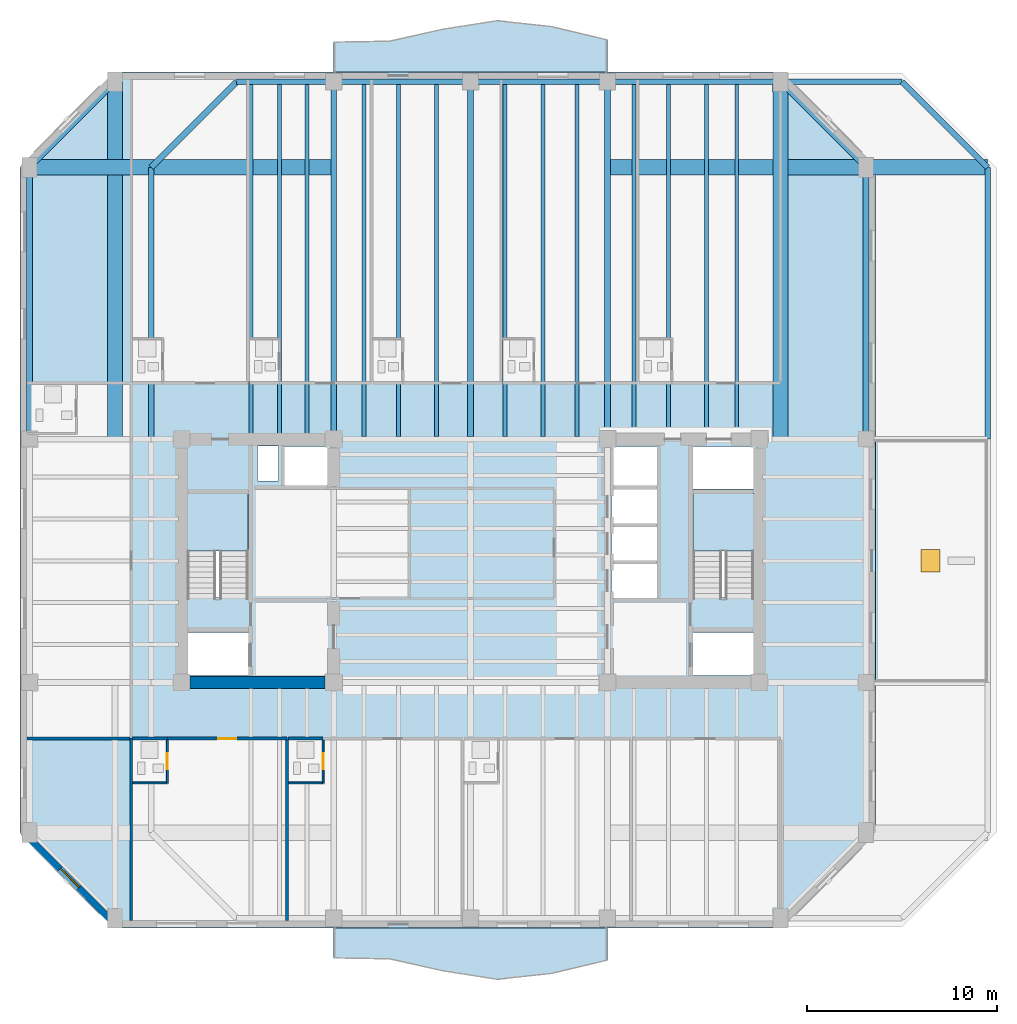
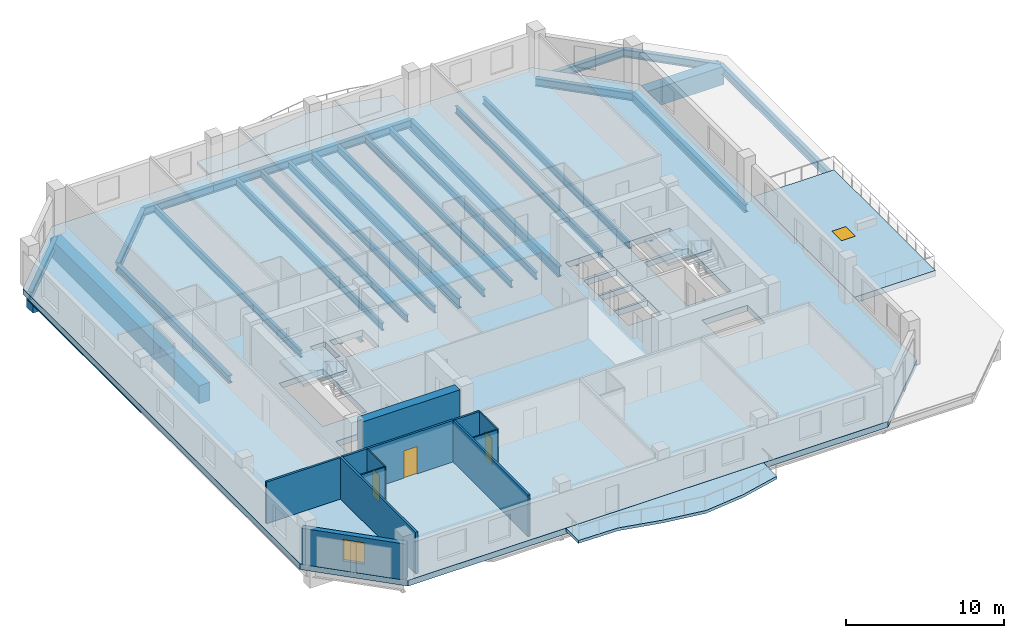
# One storey, part 2 of 11: 32 beams, 12 walls, 6 slabs, 4 doors, 1 window, 5 openings, 2 elements without a shape of their own.
"""IFC4 building model written with IfcOpenShell, lengths in metres."""

from ifc_helpers import new_model, si_unit, direction, frame, frame_2d, origin, origin_2d, place, context, subcontext, project, spatial, polyline, rectangle, i_section, outline, extrude, material, layer, layer_set, material_profile, profile_set, type_object, element, fill, aggregate, save


model = new_model("IFC4")

# Units and contexts
model_context = context("Model", 3, precision=1e-05, world=origin(), true_north=direction((0.0, 1.0)))
body_context = subcontext(model_context, "Body", "Model", "MODEL_VIEW")
ifc_project = project(units=[si_unit("LENGTHUNIT", "METRE"), si_unit("AREAUNIT", "SQUARE_METRE"), si_unit("VOLUMEUNIT", "CUBIC_METRE"), si_unit("PLANEANGLEUNIT", "RADIAN"), si_unit("MASSUNIT", "GRAM", prefix="KILO")], contexts=[model_context])

# Site, building, storey
site_placement = place(None, origin())
site = spatial("IfcSite", under=ifc_project, at=site_placement, CompositionType="ELEMENT")
building_placement = place(site_placement, origin())
building = spatial("IfcBuilding", under=site, at=building_placement, Name="Kranthara Brick Stack", CompositionType="ELEMENT")
storey_placement = place(building_placement, frame((0.0, 0.0, 183.300048828125)))
storey = spatial("IfcBuildingStorey", under=building, at=storey_placement, Name="L47", CompositionType="ELEMENT", Elevation=183.300048828125)

# Beams
ifc_material_1 = material(Name="Steel S355", Category="steel")
ifc_material_profile_1 = material_profile(ifc_material_1, i_section(OverallWidth=0.2099609375, OverallDepth=0.550048828125, WebThickness=0.010986328125, FlangeThickness=0.01708984375, at=origin_2d()), Name="IPE 550")
ifc_profile_set_1 = profile_set([ifc_material_profile_1], Name="Steel S355")
beam_type_1 = type_object("IfcBeamType", Name="BM-JST-IPE550", PredefinedType="JOIST", material=ifc_profile_set_1)
for number, where, z_axis, x_axis, name in (
    (1, (16.449951171875, 33.75, -0.72509765625), (0.0, 1.0, 0.0), (-1.0, 0.0, 0.0), "L47 North Wing Floor Joist 073"),
    (2, (17.949951171875, 33.75, -0.72509765625), (0.0, 1.0, 0.0), (-1.0, 0.0, 0.0), "L47 North Wing Floor Joist 075"),
    (3, (19.39990234375, 33.75, -0.72509765625), (0.0, 1.0, 0.0), (-1.0, 0.0, 0.0), "L47 North Wing Floor Joist 077"),
    (4, (22.39990234375, 33.75, -0.72509765625), (0.0, 1.0, 0.0), (-1.0, 0.0, 0.0), "L47 North Wing Floor Joist 079"),
    (5, (24.199951171875, 33.75, -0.72509765625), (0.0, 1.0, 0.0), (-1.0, 0.0, 0.0), "L47 North Wing Floor Joist 081"),
    (6, (26.199951171875, 33.75, -0.72509765625), (0.0, 1.0, 0.0), (-1.0, 0.0, 0.0), "L47 North Wing Floor Joist 083"),
    (7, (29.800048828125, 33.75, -0.72509765625), (0.0, 1.0, 0.0), (-1.0, 0.0, 0.0), "L47 North Wing Floor Joist 085"),
    (8, (31.800048828125, 33.75, -0.72509765625), (0.0, 1.0, 0.0), (-1.0, 0.0, 0.0), "L47 North Wing Floor Joist 087"),
    (9, (33.60009765625, 33.75, -0.72509765625), (0.0, 1.0, 0.0), (-1.0, 0.0, 0.0), "L47 North Wing Floor Joist 089"),
    (10, (36.60009765625, 33.75, -0.72509765625), (0.0, 1.0, 0.0), (-1.0, 0.0, 0.0), "L47 North Wing Floor Joist 091"),
    (11, (38.39990234375, 33.75, -0.72509765625), (0.0, 1.0, 0.0), (-1.0, 0.0, 0.0), "L47 North Wing Floor Joist 093"),
    (12, (40.39990234375, 33.75, -0.72509765625), (0.0, 1.0, 0.0), (-1.0, 0.0, 0.0), "L47 North Wing Floor Joist 095"),
    (13, (42.0, 33.75, -0.72509765625), (0.0, 1.0, 0.0), (-1.0, 0.0, 0.0), "L47 North Wing Floor Joist 097"),
):
    element("IfcBeam", number, at=place(storey_placement, frame(where, z_axis=z_axis, x_axis=x_axis)), inside=storey, type_object=beam_type_1, Name=name, PredefinedType="JOIST", context=body_context, shape_type="SweptSolid", body=[
        extrude(i_section(OverallWidth=0.2099609375, OverallDepth=0.550048828125, WebThickness=0.010986328125, FlangeThickness=0.01708984375, at=origin_2d()), origin(), (0.0, 0.0, 1.0), 18.5),
    ])
ifc_material_2 = material(Name="Steel S355", Category="steel")
ifc_material_profile_2 = material_profile(ifc_material_2, i_section(OverallWidth=0.300048828125, OverallDepth=0.60009765625, WebThickness=0.015380859375, FlangeThickness=0.030029296875, at=origin_2d()), Name="HEB 600")
ifc_profile_set_2 = profile_set([ifc_material_profile_2], Name="Steel S355")
beam_type_2 = type_object("IfcBeamType", Name="BM-STL-HEB600", PredefinedType="BEAM", material=ifc_profile_set_2)
beam_1_placement = place(storey_placement, frame((15.699951171875, 52.39990234375, -0.75), z_axis=(1.0, 0.0, 0.0), x_axis=(0.0, 1.0, 0.0)))
element("IfcBeam", 14, at=beam_1_placement, inside=storey, type_object=beam_type_2, Name="L47 Perimeter Spandrel Beam 009", PredefinedType="BEAM", context=body_context, shape_type="SweptSolid", body=[
    extrude(i_section(OverallWidth=0.300048828125, OverallDepth=0.60009765625, WebThickness=0.015380859375, FlangeThickness=0.030029296875, at=origin_2d()), origin(), (0.0, 0.0, 1.0), 5.10009765625),
])
for number, where, z_axis, x_axis, name in (
    (15, (20.800048828125, 52.39990234375, -0.75), (1.0, 0.0, 0.0), (0.0, 1.0, 0.0), "L47 Perimeter Spandrel Beam 010"),
    (16, (28.0, 52.39990234375, -0.75), (1.0, 0.0, 0.0), (0.0, 1.0, 0.0), "L47 Perimeter Spandrel Beam 011"),
):
    element("IfcBeam", number, at=place(storey_placement, frame(where, z_axis=z_axis, x_axis=x_axis)), inside=storey, type_object=beam_type_2, Name=name, PredefinedType="BEAM", context=body_context, shape_type="SweptSolid", body=[
        extrude(i_section(OverallWidth=0.300048828125, OverallDepth=0.60009765625, WebThickness=0.015380859375, FlangeThickness=0.030029296875, at=origin_2d()), origin(), (0.0, 0.0, 1.0), 7.199951171875),
    ])
beam_2_placement = place(storey_placement, frame((35.199951171875, 52.39990234375, -0.75), z_axis=(1.0, 0.0, 0.0), x_axis=(0.0, 1.0, 0.0)))
element("IfcBeam", 17, at=beam_2_placement, inside=storey, type_object=beam_type_2, Name="L47 Perimeter Spandrel Beam 012", PredefinedType="BEAM", context=body_context, shape_type="SweptSolid", body=[
    extrude(i_section(OverallWidth=0.300048828125, OverallDepth=0.60009765625, WebThickness=0.015380859375, FlangeThickness=0.030029296875, at=origin_2d()), origin(), (0.0, 0.0, 1.0), 15.5),
])
for number, where, z_axis, x_axis, name in (
    (18, (11.199951171875, 33.60009765625, -0.75), (0.0, 1.0, 0.0), (-1.0, 0.0, 0.0), "L47 Perimeter Spandrel Beam 015"),
    (19, (55.199951171875, 33.60009765625, -0.75), (0.0, 1.0, 0.0), (-1.0, 0.0, 0.0), "L47 Perimeter Spandrel Beam 018"),
):
    element("IfcBeam", number, at=place(storey_placement, frame(where, z_axis=z_axis, x_axis=x_axis)), inside=storey, type_object=beam_type_2, Name=name, PredefinedType="BEAM", context=body_context, shape_type="SweptSolid", body=[
        extrude(i_section(OverallWidth=0.300048828125, OverallDepth=0.60009765625, WebThickness=0.015380859375, FlangeThickness=0.030029296875, at=origin_2d()), origin(), (0.0, 0.0, 1.0), 14.2998046875),
    ])
for number, where, z_axis, x_axis, name in (
    (20, (15.699951171875, 52.39990234375, -0.75), (-0.707106781187, -0.707106781187, 0.0), (0.707106781187, -0.707106781187, 0.0), "L47 Chamfer Corner Spandrel 021"),
    (21, (50.699951171875, 52.39990234375, -0.75), (0.707106781187, -0.707106781187, 0.0), (0.707106781187, 0.707106781187, 0.0), "L47 Chamfer Corner Spandrel 022"),
):
    element("IfcBeam", number, at=place(storey_placement, frame(where, z_axis=z_axis, x_axis=x_axis)), inside=storey, type_object=beam_type_2, Name=name, PredefinedType="BEAM", context=body_context, shape_type="SweptSolid", body=[
        extrude(i_section(OverallWidth=0.300048828125, OverallDepth=0.60009765625, WebThickness=0.015380859375, FlangeThickness=0.030029296875, at=origin_2d()), origin(), (0.0, 0.0, 1.0), 6.364013671875),
    ])
for number, where, z_axis, x_axis, name in (
    (22, (4.800048828125, 33.60009765625, -0.75), (0.0, 1.0, 0.0), (-1.0, 0.0, 0.0), "L47 Perimeter Spandrel Beam 025"),
    (23, (48.800048828125, 33.60009765625, -0.75), (0.0, 1.0, 0.0), (-1.0, 0.0, 0.0), "L47 Perimeter Spandrel Beam 028"),
):
    element("IfcBeam", number, at=place(storey_placement, frame(where, z_axis=z_axis, x_axis=x_axis)), inside=storey, type_object=beam_type_2, Name=name, PredefinedType="BEAM", context=body_context, shape_type="SweptSolid", body=[
        extrude(i_section(OverallWidth=0.300048828125, OverallDepth=0.60009765625, WebThickness=0.015380859375, FlangeThickness=0.030029296875, at=origin_2d()), origin(), (0.0, 0.0, 1.0), 14.2998046875),
    ])
for number, where, z_axis, x_axis, name in (
    (24, (9.300048828125, 52.39990234375, -0.75), (-0.707106781187, -0.707106781187, 0.0), (0.707106781187, -0.707106781187, 0.0), "L47 Chamfer Corner Spandrel 031"),
    (25, (44.300048828125, 52.39990234375, -0.75), (0.707106781187, -0.707106781187, 0.0), (0.707106781187, 0.707106781187, 0.0), "L47 Chamfer Corner Spandrel 032"),
):
    element("IfcBeam", number, at=place(storey_placement, frame(where, z_axis=z_axis, x_axis=x_axis)), inside=storey, type_object=beam_type_2, Name=name, PredefinedType="BEAM", context=body_context, shape_type="SweptSolid", body=[
        extrude(i_section(OverallWidth=0.300048828125, OverallDepth=0.60009765625, WebThickness=0.015380859375, FlangeThickness=0.030029296875, at=origin_2d()), origin(), (0.0, 0.0, 1.0), 6.364013671875),
    ])
ifc_material_3 = material(Name="Steel S355", Category="steel")
ifc_material_profile_3 = material_profile(ifc_material_3, i_section(OverallWidth=0.300048828125, OverallDepth=0.800048828125, WebThickness=0.017578125, FlangeThickness=0.032958984375, at=origin_2d()), Name="HEB 800")
ifc_profile_set_3 = profile_set([ifc_material_profile_3], Name="Steel S355")
beam_type_3 = type_object("IfcBeamType", Name="BM-TR-HEB800", PredefinedType="BEAM", material=ifc_profile_set_3)
beam_3_placement = place(storey_placement, frame((20.800048828125, 33.60009765625, -0.85009765625), z_axis=(0.0, 1.0, 0.0), x_axis=(-1.0, 0.0, 0.0)))
element("IfcBeam", 26, at=beam_3_placement, inside=storey, type_object=beam_type_3, Name="L47 Primary Grid Girder 034", PredefinedType="BEAM", context=body_context, shape_type="SweptSolid", body=[
    extrude(i_section(OverallWidth=0.300048828125, OverallDepth=0.800048828125, WebThickness=0.017578125, FlangeThickness=0.032958984375, at=origin_2d()), origin(), (0.0, 0.0, 1.0), 18.7998046875),
])
beam_4_placement = place(storey_placement, frame((28.0, 33.75, -0.85009765625), z_axis=(0.0, 1.0, 0.0), x_axis=(-1.0, 0.0, 0.0)))
element("IfcBeam", 27, at=beam_4_placement, inside=storey, type_object=beam_type_3, Name="L47 Primary Grid Girder 037", PredefinedType="BEAM", context=body_context, shape_type="SweptSolid", body=[
    extrude(i_section(OverallWidth=0.300048828125, OverallDepth=0.800048828125, WebThickness=0.017578125, FlangeThickness=0.032958984375, at=origin_2d()), origin(), (0.0, 0.0, 1.0), 18.64990234375),
])
beam_5_placement = place(storey_placement, frame((35.199951171875, 33.60009765625, -0.85009765625), z_axis=(0.0, 1.0, 0.0), x_axis=(-1.0, 0.0, 0.0)))
element("IfcBeam", 28, at=beam_5_placement, inside=storey, type_object=beam_type_3, Name="L47 Primary Grid Girder 039", PredefinedType="BEAM", context=body_context, shape_type="SweptSolid", body=[
    extrude(i_section(OverallWidth=0.300048828125, OverallDepth=0.800048828125, WebThickness=0.017578125, FlangeThickness=0.032958984375, at=origin_2d()), origin(), (0.0, 0.0, 1.0), 18.7998046875),
])
ifc_material_4 = material(Name="Post-tensioned concrete C50/60", Category="concrete")
ifc_material_profile_4 = material_profile(ifc_material_4, rectangle(XDim=0.800048828125, YDim=1.39990234375, at=origin_2d()), Name="PT 800x1400")
ifc_profile_set_4 = profile_set([ifc_material_profile_4], Name="Post-tensioned concrete C50/60")
beam_type_4 = type_object("IfcBeamType", Name="BM-TR-PT1400", PredefinedType="T_BEAM", material=ifc_profile_set_4)
for number, where, z_axis, x_axis, name in (
    (29, (9.300048828125, 52.39990234375, -1.150146484375), (0.0, -1.0, 0.0), (1.0, 0.0, 0.0), "L47 Transfer Tie Girder 047"),
    (30, (44.300048828125, 52.39990234375, -1.150146484375), (0.0, -1.0, 0.0), (1.0, 0.0, 0.0), "L47 Transfer Tie Girder 049"),
):
    element("IfcBeam", number, at=place(storey_placement, frame(where, z_axis=z_axis, x_axis=x_axis)), inside=storey, type_object=beam_type_4, Name=name, PredefinedType="T_BEAM", context=body_context, shape_type="SweptSolid", body=[
        extrude(rectangle(XDim=0.800048828125, YDim=1.39990234375, at=origin_2d()), origin(), (0.0, 0.0, 1.0), 18.7998046875),
    ])
beam_6_placement = place(storey_placement, frame((4.800048828125, 47.89990234375, -1.150146484375), z_axis=(1.0, 0.0, 0.0), x_axis=(0.0, 1.0, 0.0)))
element("IfcBeam", 31, at=beam_6_placement, inside=storey, type_object=beam_type_4, Name="L47 Transfer Tie Girder 052", PredefinedType="T_BEAM", context=body_context, shape_type="SweptSolid", body=[
    extrude(rectangle(XDim=0.800048828125, YDim=1.39990234375, at=origin_2d()), origin(), (0.0, 0.0, 1.0), 16.0),
])
beam_7_placement = place(storey_placement, frame((55.199951171875, 47.89990234375, -1.150146484375), z_axis=(-1.0, 0.0, 0.0), x_axis=(0.0, -1.0, 0.0)))
element("IfcBeam", 32, at=beam_7_placement, inside=storey, type_object=beam_type_4, Name="L47 Transfer Tie Girder 053", PredefinedType="T_BEAM", context=body_context, shape_type="SweptSolid", body=[
    extrude(rectangle(XDim=0.800048828125, YDim=1.39990234375, at=origin_2d()), origin(), (0.0, 0.0, 1.0), 20.0),
])

# Slabs
ifc_material_5 = material(Name="Concrete C45/55", Category="concrete")
ifc_layer_1 = layer(ifc_material_5, 0.219970703125)
ifc_layer_set_1 = layer_set([ifc_layer_1], Name="Concrete C45/55")
slab_type_1 = type_object("IfcSlabType", Name="SLB-BALC-220", PredefinedType="FLOOR", material=ifc_layer_set_1)
slab_1_placement = place(storey_placement, frame((0.0, 0.0, -0.219970703125)))
element("IfcSlab", 33, at=slab_1_placement, inside=storey, type_object=slab_type_1, Name="L47 South Rippling Balcony Slab", PredefinedType="FLOOR", context=body_context, shape_type="SweptSolid", body=[
    extrude(outline(polyline([(20.800048828125, 7.89990234375), (35.199951171875, 7.89990234375), (35.199951171875, 6.185546875), (32.320068359375, 5.48974609375), (29.43994140625, 5.15283203125), (26.56005859375, 5.598388671875), (23.679931640625, 6.26611328125), (20.800048828125, 6.316162109375), (20.800048828125, 7.89990234375)])), origin(), (0.0, 0.0, 1.0), 0.219970703125),
])
slab_2_placement = place(storey_placement, frame((0.0, 0.0, -0.219970703125)))
element("IfcSlab", 34, at=slab_2_placement, inside=storey, type_object=slab_type_1, Name="L47 North Rippling Balcony Slab", PredefinedType="FLOOR", context=body_context, shape_type="SweptSolid", body=[
    extrude(outline(polyline([(35.199951171875, 52.89990234375), (20.800048828125, 52.89990234375), (20.800048828125, 54.483642578125), (23.679931640625, 54.533935546875), (26.56005859375, 55.20166015625), (29.43994140625, 55.647216796875), (32.320068359375, 55.310302734375), (35.199951171875, 54.614501953125), (35.199951171875, 52.89990234375)])), origin(), (0.0, 0.0, 1.0), 0.219970703125),
])

# Stair, slab
ifc_material_6 = material(Name="Concrete C45/55", Category="concrete")
stair_type = type_object("IfcStairType", Name="ST-CORE-20R", PredefinedType="HALF_TURN_STAIR", material=ifc_material_6)
stair_1_placement = place(storey_placement, origin())
stair_1 = element("IfcStair", 35, at=stair_1_placement, inside=storey, type_object=stair_type, Name="L47 West Core Protected Exit Stair ST01", PredefinedType="HALF_TURN_STAIR")
ifc_material_7 = material(Name="Concrete C45/55", Category="concrete")
ifc_layer_2 = layer(ifc_material_7, 0.199951171875)
ifc_layer_set_2 = layer_set([ifc_layer_2], Name="Concrete C45/55")
slab_type_2 = type_object("IfcSlabType", Name="SLB-LANDING-200", PredefinedType="LANDING", material=ifc_layer_set_2)
slab_3_placement = place(storey_placement, frame((0.0, 0.0, 1.550048828125)))
slab_3 = element("IfcSlab", 36, at=slab_3_placement, type_object=slab_type_2, Name="ST01 landing 1", PredefinedType="LANDING", context=body_context, shape_type="SweptSolid", body=[
    extrude(outline(polyline([(16.300048828125, 27.719970703125), (16.300048828125, 30.75), (13.10009765625, 30.75), (13.10009765625, 27.719970703125), (16.300048828125, 27.719970703125)])), origin(), (0.0, 0.0, 1.0), 0.199951171875),
])
aggregate(stair_1, [slab_3])

stair_2_placement = place(storey_placement, origin())
stair_2 = element("IfcStair", 37, at=stair_2_placement, inside=storey, type_object=stair_type, Name="L47 East Core Protected Exit Stair ST02", PredefinedType="HALF_TURN_STAIR")
slab_4_placement = place(storey_placement, frame((0.0, 0.0, 1.550048828125)))
slab_4 = element("IfcSlab", 38, at=slab_4_placement, type_object=slab_type_2, Name="ST02 landing 1", PredefinedType="LANDING", context=body_context, shape_type="SweptSolid", body=[
    extrude(outline(polyline([(42.89990234375, 27.719970703125), (42.89990234375, 30.75), (39.699951171875, 30.75), (39.699951171875, 27.719970703125), (42.89990234375, 27.719970703125)])), origin(), (0.0, 0.0, 1.0), 0.199951171875),
])
aggregate(stair_2, [slab_4])

# Slab, opening, door
ifc_material_8 = material(Name="Concrete C45/55", Category="concrete")
ifc_layer_3 = layer(ifc_material_8, 0.449951171875)
ifc_layer_set_3 = layer_set([ifc_layer_3], Name="Concrete C45/55")
slab_type_3 = type_object("IfcSlabType", Name="SLB-TERR-450", PredefinedType="ROOF", material=ifc_layer_set_3)
slab_5_placement = place(storey_placement, frame((0.0, 0.0, -0.449951171875)))
slab_5 = element("IfcSlab", 39, at=slab_5_placement, inside=storey, type_object=slab_type_3, Name="L47 East Planted Sky Garden", PredefinedType="ROOF", context=body_context, shape_type="SweptSolid", body=[
    extrude(outline(polyline([(49.300048828125, 20.800048828125), (55.199951171875, 20.800048828125), (55.199951171875, 33.60009765625), (49.300048828125, 33.60009765625), (49.300048828125, 20.800048828125)]), holes=[polyline([(51.699951171875, 26.60009765625), (52.699951171875, 26.60009765625), (52.699951171875, 27.800048828125), (51.699951171875, 27.800048828125), (51.699951171875, 26.60009765625)])]), origin(), (0.0, 0.0, 1.0), 0.449951171875),
])
opening_1_placement = place(slab_5_placement, frame((52.199951171875, 27.199951171875, 0.0)))
opening_1 = element("IfcOpeningElement", 40, at=opening_1_placement, cuts=slab_5, Name="Opening RH01", PredefinedType="OPENING", context=body_context, shape_type="SweptSolid", body=[
    extrude(rectangle(XDim=1.0, YDim=1.199951171875, at=origin_2d()), origin(), (0.0, 0.0, 1.0), 0.449951171875),
])
ifc_material_9 = material(Name="Powder-coated galvanized steel sheet", Category="steel")
door_type_1 = type_object("IfcDoorType", Name="DR-HATCH-1000", OperationType="SINGLE_SWING_LEFT", PredefinedType="TRAPDOOR", material=ifc_material_9)
door_1_placement = place(opening_1_placement, frame((0.0, 0.0, 0.39990234375)))
door_1 = element("IfcDoor", 41, at=door_1_placement, inside=storey, type_object=door_type_1, Name="L47 Terrace Roof Maintenance Access Hatch", OperationType="SINGLE_SWING_LEFT", OverallHeight=1.199951171875, OverallWidth=1.0, PredefinedType="TRAPDOOR", context=body_context, shape_type="SweptSolid", body=[
    extrude(rectangle(XDim=1.0, YDim=1.199951171875, at=origin_2d()), origin(), (0.0, 0.0, 1.0), 0.050048828125),
])
fill(opening_1, door_1)

# Slab
ifc_material_10 = material(Name="Post-tensioned concrete C50/60", Category="concrete")
ifc_layer_4 = layer(ifc_material_10, 0.449951171875)
ifc_layer_set_4 = layer_set([ifc_layer_4], Name="Post-tensioned concrete C50/60")
slab_type_4 = type_object("IfcSlabType", Name="SLB-TRANS-450", PredefinedType="FLOOR", material=ifc_layer_set_4)
slab_6_placement = place(storey_placement, frame((0.0, 0.0, -0.449951171875)))
element("IfcSlab", 42, at=slab_6_placement, inside=storey, type_object=slab_type_4, Name="L47 Structural Floor Plate", PredefinedType="FLOOR", context=body_context, shape_type="SweptSolid", body=[
    extrude(outline(polyline([(9.300048828125, 7.89990234375), (44.300048828125, 7.89990234375), (49.300048828125, 12.89990234375), (49.300048828125, 47.89990234375), (44.300048828125, 52.89990234375), (9.300048828125, 52.89990234375), (4.300048828125, 47.89990234375), (4.300048828125, 12.89990234375), (9.300048828125, 7.89990234375)]), holes=[polyline([(13.10009765625, 25.280029296875), (16.300048828125, 25.280029296875), (16.300048828125, 30.75), (13.10009765625, 30.75), (13.10009765625, 25.280029296875)]), polyline([(39.699951171875, 25.280029296875), (42.89990234375, 25.280029296875), (42.89990234375, 30.75), (39.699951171875, 30.75), (39.699951171875, 25.280029296875)]), polyline([(13.0, 21.179931640625), (16.320068359375, 21.179931640625), (16.320068359375, 23.419921875), (13.0, 23.419921875), (13.0, 21.179931640625)]), polyline([(39.679931640625, 21.179931640625), (43.0, 21.179931640625), (43.0, 23.419921875), (39.679931640625, 23.419921875), (39.679931640625, 21.179931640625)]), polyline([(39.679931640625, 30.97998046875), (43.0, 30.97998046875), (43.0, 33.219970703125), (39.679931640625, 33.219970703125), (39.679931640625, 30.97998046875)]), polyline([(35.39990234375, 25.25), (37.800048828125, 25.25), (37.800048828125, 27.050048828125), (35.39990234375, 27.050048828125), (35.39990234375, 25.25)]), polyline([(35.39990234375, 27.199951171875), (37.800048828125, 27.199951171875), (37.800048828125, 29.0), (35.39990234375, 29.0), (35.39990234375, 27.199951171875)]), polyline([(35.39990234375, 29.14990234375), (37.800048828125, 29.14990234375), (37.800048828125, 30.949951171875), (35.39990234375, 30.949951171875), (35.39990234375, 29.14990234375)]), polyline([(18.199951171875, 31.14990234375), (20.60009765625, 31.14990234375), (20.60009765625, 33.219970703125), (18.199951171875, 33.219970703125), (18.199951171875, 31.14990234375)]), polyline([(35.39990234375, 31.14990234375), (37.800048828125, 31.14990234375), (37.800048828125, 33.219970703125), (35.39990234375, 33.219970703125), (35.39990234375, 31.14990234375)]), polyline([(16.800048828125, 31.39990234375), (17.89990234375, 31.39990234375), (17.89990234375, 33.25), (16.800048828125, 33.25), (16.800048828125, 31.39990234375)])]), origin(), (0.0, 0.0, 1.0), 0.449951171875),
])

# Wall, opening, window
ifc_material_11 = material(Name="Kiln-fired clay brick masonry M15", Category="masonry")
ifc_layer_5 = layer(ifc_material_11, 0.35009765625)
ifc_layer_set_5 = layer_set([ifc_layer_5], Name="Kiln-fired clay brick masonry M15")
wall_type_1 = type_object("IfcWallType", Name="WL-BRK-SPND-350", PredefinedType="STANDARD", material=ifc_layer_set_5)
wall_1_placement = place(storey_placement, frame((9.300048828125, 8.094970703125, 0.0), z_axis=(0.0, 0.0, 1.0), x_axis=(-0.707106781187, 0.707106781187, 0.0)))
wall_1 = element("IfcWall", 43, at=wall_1_placement, inside=storey, type_object=wall_type_1, Name="L47 Exterior Brick Facade Wall SW 1", PredefinedType="STANDARD", context=body_context, shape_type="SweptSolid", body=[
    extrude(rectangle(XDim=6.795166015625, YDim=0.35009765625, at=frame_2d((3.3974609375, 0.0))), origin(), (0.0, 0.0, 1.0), 2.784912109375),
])
opening_2_placement = place(wall_1_placement, frame((2.697998046875, 0.0, 0.75)))
opening_2 = element("IfcOpeningElement", 44, at=opening_2_placement, cuts=wall_1, Name="Opening WN10", PredefinedType="OPENING", context=body_context, shape_type="SweptSolid", body=[
    extrude(rectangle(XDim=1.39990234375, YDim=1.64990234375, at=frame_2d((0.699951171875, 0.824951171875))), frame((0.0, 0.18505859375, 0.0), z_axis=(0.0, -1.0, 0.0), x_axis=(1.0, 0.0, 0.0)), (0.0, 0.0, 1.0), 0.3701171875),
])
ifc_material_12 = material(Name="Double-glazed low-E solar control glass", Category="glass")
window_type = type_object("IfcWindowType", Name="WN-CHM-1400x1750", PartitioningType="SINGLE_PANEL", PredefinedType="WINDOW", material=ifc_material_12)
window_placement = place(opening_2_placement, origin())
window = element("IfcWindow", 45, at=window_placement, inside=storey, type_object=window_type, Name="L47 SW Chamfer Corner Window", OverallHeight=1.64990234375, OverallWidth=1.39990234375, PartitioningType="SINGLE_PANEL", PredefinedType="WINDOW", context=body_context, shape_type="SweptSolid", body=[
    extrude(rectangle(XDim=1.39990234375, YDim=1.64990234375, at=frame_2d((0.699951171875, 0.824951171875))), frame((0.0, -0.010009765625, 0.0), z_axis=(0.0, -1.0, 0.0), x_axis=(1.0, 0.0, 0.0)), (0.0, 0.0, 1.0), 0.06005859375),
])
fill(opening_2, window)

# Wall
ifc_material_13 = material(Name="Concrete C60/75", Category="concrete")
ifc_layer_6 = layer(ifc_material_13, 0.64990234375)
ifc_layer_set_6 = layer_set([ifc_layer_6], Name="Concrete C60/75")
wall_type_2 = type_object("IfcWallType", Name="WL-CORE-650", PredefinedType="SHEAR", material=ifc_layer_set_6)
wall_2_placement = place(storey_placement, frame((13.2548828125, 20.800048828125, 0.0), z_axis=(0.0, 0.0, 1.0), x_axis=(1.0, 0.0, 0.0)))
element("IfcWall", 46, at=wall_2_placement, inside=storey, type_object=wall_type_2, Name="L47 West Core Shear Wall South", PredefinedType="SHEAR", context=body_context, shape_type="SweptSolid", body=[
    extrude(rectangle(XDim=7.090087890625, YDim=0.64990234375, at=frame_2d((3.544921875, 0.0))), origin(), (0.0, 0.0, 1.0), 3.199951171875),
])

# Wall, opening, door
ifc_material_14 = material(Name="Moisture-resistant wet-room partition", Category="other")
ifc_layer_7 = layer(ifc_material_14, 0.10009765625)
ifc_layer_set_7 = layer_set([ifc_layer_7], Name="Moisture-resistant wet-room partition")
wall_type_3 = type_object("IfcWallType", Name="WL-PART-100", PredefinedType="PARTITIONING", material=ifc_layer_set_7)
wall_3_placement = place(storey_placement, frame((12.050048828125, 15.52001953125, 0.0), z_axis=(0.0, 0.0, 1.0), x_axis=(0.0, 1.0, 0.0)))
wall_3 = element("IfcWall", 47, at=wall_3_placement, inside=storey, type_object=wall_type_3, Name="L47 Interior Partition 008", PredefinedType="PARTITIONING", context=body_context, shape_type="SweptSolid", body=[
    extrude(rectangle(XDim=2.25, YDim=0.10009765625, at=frame_2d((1.125, 0.0))), origin(), (0.0, 0.0, 1.0), 3.199951171875),
])
opening_3_placement = place(wall_3_placement, frame((0.719970703125, 0.0, 0.0)))
opening_3 = element("IfcOpeningElement", 48, at=opening_3_placement, cuts=wall_3, Name="Opening D17", PredefinedType="OPENING", context=body_context, shape_type="SweptSolid", body=[
    extrude(rectangle(XDim=0.85009765625, YDim=2.050048828125, at=frame_2d((0.425048828125, 1.02490234375))), frame((0.0, 0.06005859375, 0.0), z_axis=(0.0, -1.0, 0.0), x_axis=(1.0, 0.0, 0.0)), (0.0, 0.0, 1.0), 0.1201171875),
])
ifc_material_15 = material(Name="Solid-core hardwood timber leaf in steel frame", Category="steel")
door_type_2 = type_object("IfcDoorType", Name="DR-WET-850", OperationType="NOTDEFINED", PredefinedType="DOOR", material=ifc_material_15)
door_2_placement = place(opening_3_placement, origin())
door_2 = element("IfcDoor", 49, at=door_2_placement, inside=storey, type_object=door_type_2, Name="L47 Key 01 En-Suite Door 03", OperationType="SINGLE_SWING_LEFT", OverallHeight=2.050048828125, OverallWidth=0.85009765625, PredefinedType="DOOR", context=body_context, shape_type="SweptSolid", body=[
    extrude(rectangle(XDim=0.85009765625, YDim=2.050048828125, at=frame_2d((0.425048828125, 1.02490234375))), frame((0.0, 0.02490234375, 0.0), z_axis=(0.0, -1.0, 0.0), x_axis=(1.0, 0.0, 0.0)), (0.0, 0.0, 1.0), 0.050048828125),
])
fill(opening_3, door_2)

# Wall
wall_4_placement = place(storey_placement, frame((10.22998046875, 15.52001953125, 0.0), z_axis=(0.0, 0.0, 1.0), x_axis=(1.0, 0.0, 0.0)))
element("IfcWall", 50, at=wall_4_placement, inside=storey, type_object=wall_type_3, Name="L47 Interior Partition 009", PredefinedType="PARTITIONING", context=body_context, shape_type="SweptSolid", body=[
    extrude(rectangle(XDim=1.76513671875, YDim=0.10009765625, at=frame_2d((0.882568359375, 0.0))), origin(), (0.0, 0.0, 1.0), 3.199951171875),
])

# Wall, opening, door
wall_5_placement = place(storey_placement, frame((20.24609375, 15.52001953125, 0.0), z_axis=(0.0, 0.0, 1.0), x_axis=(0.0, 1.0, 0.0)))
wall_5 = element("IfcWall", 51, at=wall_5_placement, inside=storey, type_object=wall_type_3, Name="L47 Interior Partition 013", PredefinedType="PARTITIONING", context=body_context, shape_type="SweptSolid", body=[
    extrude(rectangle(XDim=2.25, YDim=0.10009765625, at=frame_2d((1.125, 0.0))), origin(), (0.0, 0.0, 1.0), 3.199951171875),
])
opening_4_placement = place(wall_5_placement, frame((0.719970703125, 0.0, 0.0)))
opening_4 = element("IfcOpeningElement", 52, at=opening_4_placement, cuts=wall_5, Name="Opening D17", PredefinedType="OPENING", context=body_context, shape_type="SweptSolid", body=[
    extrude(rectangle(XDim=0.85009765625, YDim=2.050048828125, at=frame_2d((0.425048828125, 1.02490234375))), frame((0.0, 0.06005859375, 0.0), z_axis=(0.0, -1.0, 0.0), x_axis=(1.0, 0.0, 0.0)), (0.0, 0.0, 1.0), 0.1201171875),
])
door_3_placement = place(opening_4_placement, origin())
door_3 = element("IfcDoor", 53, at=door_3_placement, inside=storey, type_object=door_type_2, Name="L47 Key 02 En-Suite Door 05", OperationType="SINGLE_SWING_LEFT", OverallHeight=2.050048828125, OverallWidth=0.85009765625, PredefinedType="DOOR", context=body_context, shape_type="SweptSolid", body=[
    extrude(rectangle(XDim=0.85009765625, YDim=2.050048828125, at=frame_2d((0.425048828125, 1.02490234375))), frame((0.0, 0.02490234375, 0.0), z_axis=(0.0, -1.0, 0.0), x_axis=(1.0, 0.0, 0.0)), (0.0, 0.0, 1.0), 0.050048828125),
])
fill(opening_4, door_3)

# Walls
wall_6_placement = place(storey_placement, frame((18.426025390625, 15.52001953125, 0.0), z_axis=(0.0, 0.0, 1.0), x_axis=(1.0, 0.0, 0.0)))
element("IfcWall", 54, at=wall_6_placement, inside=storey, type_object=wall_type_3, Name="L47 Interior Partition 014", PredefinedType="PARTITIONING", context=body_context, shape_type="SweptSolid", body=[
    extrude(rectangle(XDim=1.764892578125, YDim=0.10009765625, at=frame_2d((0.88232421875, 0.0))), origin(), (0.0, 0.0, 1.0), 3.199951171875),
])
ifc_material_16 = material(Name="Fire-rated gypsum board partition", Category="other")
ifc_layer_8 = layer(ifc_material_16, 0.14990234375)
ifc_layer_set_8 = layer_set([ifc_layer_8], Name="Fire-rated gypsum board partition")
wall_type_4 = type_object("IfcWallType", Name="WL-PART-150", PredefinedType="PARTITIONING", material=ifc_layer_set_8)
wall_7_placement = place(storey_placement, frame((10.14990234375, 8.27490234375, 0.0), z_axis=(0.0, 0.0, 1.0), x_axis=(0.0, 1.0, 0.0)))
element("IfcWall", 55, at=wall_7_placement, inside=storey, type_object=wall_type_4, Name="L47 Interior Partition 005", PredefinedType="PARTITIONING", context=body_context, shape_type="SweptSolid", body=[
    extrude(rectangle(XDim=9.5751953125, YDim=0.14990234375, at=frame_2d((4.78759765625, 0.0))), origin(), (0.0, 0.0, 1.0), 3.199951171875),
])
wall_8_placement = place(storey_placement, frame((10.22998046875, 17.85009765625, 0.0), z_axis=(0.0, 0.0, 1.0), x_axis=(1.0, 0.0, 0.0)))
element("IfcWall", 56, at=wall_8_placement, inside=storey, type_object=wall_type_4, Name="L47 Interior Partition 006", PredefinedType="PARTITIONING", context=body_context, shape_type="SweptSolid", body=[
    extrude(rectangle(XDim=1.820068359375, YDim=0.14990234375, at=frame_2d((0.91015625, 0.0))), origin(), (0.0, 0.0, 1.0), 3.199951171875),
])

# Wall, opening, door
wall_9_placement = place(storey_placement, frame((12.050048828125, 17.85009765625, 0.0), z_axis=(0.0, 0.0, 1.0), x_axis=(1.0, 0.0, 0.0)))
wall_9 = element("IfcWall", 57, at=wall_9_placement, inside=storey, type_object=wall_type_4, Name="L47 Interior Partition 007", PredefinedType="PARTITIONING", context=body_context, shape_type="SweptSolid", body=[
    extrude(rectangle(XDim=6.2958984375, YDim=0.14990234375, at=frame_2d((3.14794921875, 0.0))), origin(), (0.0, 0.0, 1.0), 3.199951171875),
])
opening_5_placement = place(wall_9_placement, frame((2.66796875, 0.0, 0.0)))
opening_5 = element("IfcOpeningElement", 58, at=opening_5_placement, cuts=wall_9, Name="Opening D09", PredefinedType="OPENING", context=body_context, shape_type="SweptSolid", body=[
    extrude(rectangle(XDim=0.949951171875, YDim=2.10009765625, at=frame_2d((0.47509765625, 1.050048828125))), frame((0.0, 0.0849609375, 0.0), z_axis=(0.0, -1.0, 0.0), x_axis=(1.0, 0.0, 0.0)), (0.0, 0.0, 1.0), 0.169921875),
])
ifc_material_17 = material(Name="Solid-core hardwood timber leaf in steel frame", Category="steel")
door_type_3 = type_object("IfcDoorType", Name="DR-FD-950", OperationType="NOTDEFINED", PredefinedType="DOOR", material=ifc_material_17)
door_4_placement = place(opening_5_placement, origin())
door_4 = element("IfcDoor", 59, at=door_4_placement, inside=storey, type_object=door_type_3, Name="L47 Key 01 Entry 04", OperationType="SINGLE_SWING_RIGHT", OverallHeight=2.10009765625, OverallWidth=0.949951171875, PredefinedType="DOOR", context=body_context, shape_type="SweptSolid", body=[
    extrude(rectangle(XDim=0.949951171875, YDim=2.10009765625, at=frame_2d((0.47509765625, 1.050048828125))), frame((0.0, 0.02490234375, 0.0), z_axis=(0.0, -1.0, 0.0), x_axis=(1.0, 0.0, 0.0)), (0.0, 0.0, 1.0), 0.050048828125),
])
fill(opening_5, door_4)

# Walls
wall_10_placement = place(storey_placement, frame((18.345947265625, 8.27490234375, 0.0), z_axis=(0.0, 0.0, 1.0), x_axis=(0.0, 1.0, 0.0)))
element("IfcWall", 60, at=wall_10_placement, inside=storey, type_object=wall_type_4, Name="L47 Interior Partition 010", PredefinedType="PARTITIONING", context=body_context, shape_type="SweptSolid", body=[
    extrude(rectangle(XDim=9.4951171875, YDim=0.14990234375, at=frame_2d((4.74755859375, 0.0))), origin(), (0.0, 0.0, 1.0), 3.199951171875),
])
wall_11_placement = place(storey_placement, frame((18.426025390625, 17.85009765625, 0.0), z_axis=(0.0, 0.0, 1.0), x_axis=(1.0, 0.0, 0.0)))
element("IfcWall", 61, at=wall_11_placement, inside=storey, type_object=wall_type_4, Name="L47 Interior Partition 011", PredefinedType="PARTITIONING", context=body_context, shape_type="SweptSolid", body=[
    extrude(rectangle(XDim=1.820068359375, YDim=0.14990234375, at=frame_2d((0.91015625, 0.0))), origin(), (0.0, 0.0, 1.0), 3.199951171875),
])
wall_12_placement = place(storey_placement, frame((4.675048828125, 17.85009765625, 0.0), z_axis=(0.0, 0.0, 1.0), x_axis=(1.0, 0.0, 0.0)))
element("IfcWall", 62, at=wall_12_placement, inside=storey, type_object=wall_type_4, Name="L47 Interior Partition 049", PredefinedType="PARTITIONING", context=body_context, shape_type="SweptSolid", body=[
    extrude(rectangle(XDim=5.39501953125, YDim=0.14990234375, at=frame_2d((2.697509765625, 0.0))), origin(), (0.0, 0.0, 1.0), 3.199951171875),
])

save(model, "model.ifc")
